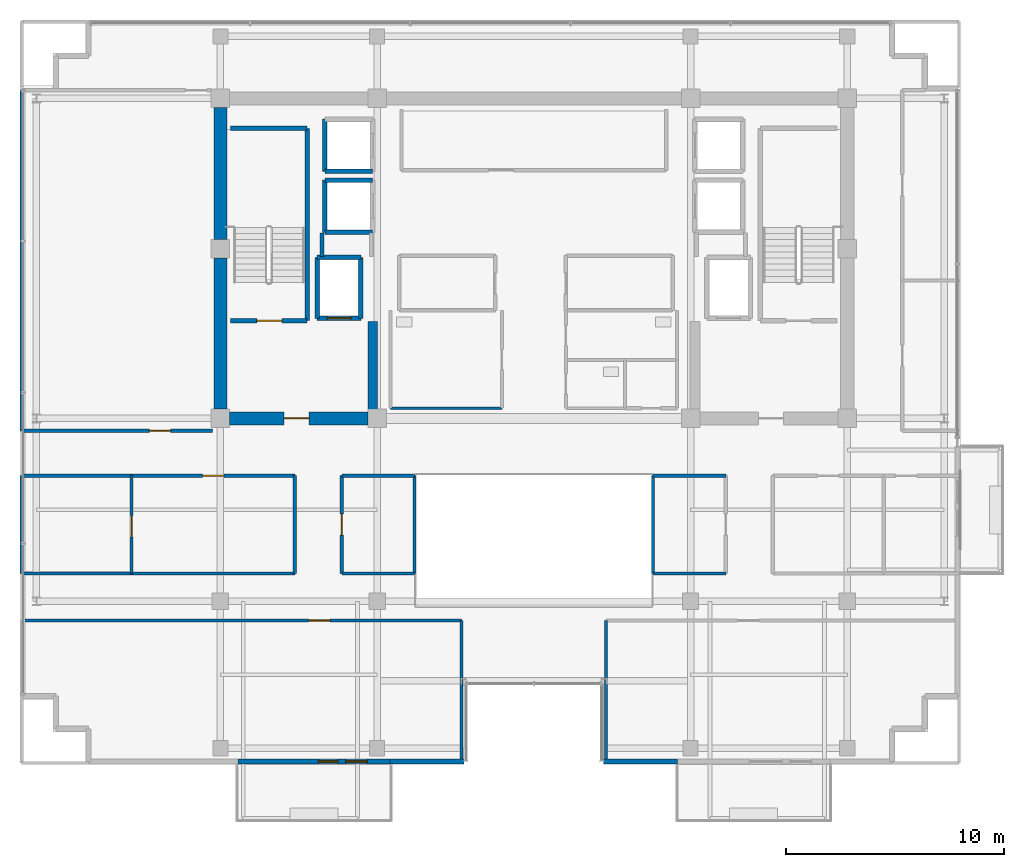
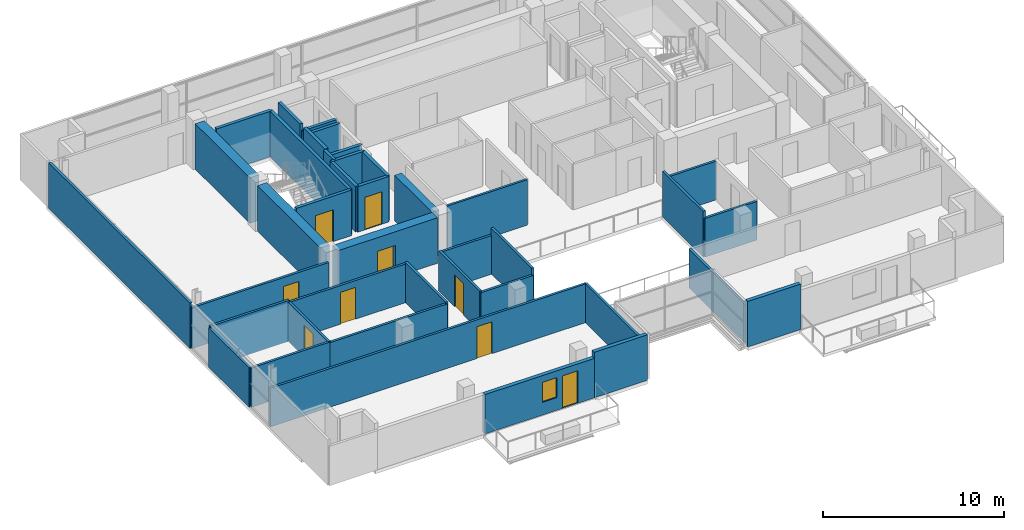
# One storey, part 16 of 23: 40 walls, 9 doors, 1 window, 10 openings.
"""IFC4 building model written with IfcOpenShell, lengths in metres."""

from ifc_helpers import new_model, si_unit, direction, frame, frame_2d, origin, place, context, subcontext, project, spatial, rectangle, extrude, source, transform, mapped, material, layer, layer_set, type_object, element, fill, save


model = new_model("IFC4")

# Units and contexts
model_context = context("Model", 3, precision=1e-05, world=origin(), true_north=direction((0.0, 1.0)))
body_context = subcontext(model_context, "Body", "Model", "MODEL_VIEW")
ifc_project = project(units=[si_unit("LENGTHUNIT", "METRE"), si_unit("AREAUNIT", "SQUARE_METRE"), si_unit("VOLUMEUNIT", "CUBIC_METRE"), si_unit("PLANEANGLEUNIT", "RADIAN"), si_unit("MASSUNIT", "GRAM", prefix="KILO")], contexts=[model_context])

# Site, building, storey
site_placement = place(None, origin())
site = spatial("IfcSite", under=ifc_project, at=site_placement, CompositionType="ELEMENT")
building_placement = place(site_placement, origin())
building = spatial("IfcBuilding", under=site, at=building_placement, Name="Zarnakvel Exchange Tower", CompositionType="ELEMENT")
storey_placement = place(building_placement, frame((0.0, 0.0, 218.800048828125)))
storey = spatial("IfcBuildingStorey", under=building, at=storey_placement, Name="L61", CompositionType="ELEMENT", Elevation=218.800048828125)

# Walls
ifc_material_1 = material(Name="Concrete C50/60", Category="concrete")
ifc_layer_1 = layer(ifc_material_1, 0.60009765625)
ifc_layer_set_1 = layer_set([ifc_layer_1], Name="Concrete C50/60")
wall_type_1 = type_object("IfcWallType", Name="CW-C5", PredefinedType="SHEAR", material=ifc_layer_set_1)
wall_1_placement = place(storey_placement, frame((-14.39990234375, -0.77490234375, 0.0), z_axis=(0.0, 0.0, 1.0), x_axis=(0.0, 1.0, 0.0)))
element("IfcWall", 1, at=wall_1_placement, inside=storey, type_object=wall_type_1, Name="L61 Rear Core Shear Wall W1 (CW-C5)", PredefinedType="SHEAR", context=body_context, shape_type="SweptSolid", body=[
    extrude(rectangle(XDim=6.949951171875, YDim=0.60009765625, at=frame_2d((3.47509765625, 0.0))), origin(), (0.0, 0.0, 1.0), 3.074951171875),
])
wall_2_placement = place(storey_placement, frame((-14.39990234375, 7.02490234375, 0.0), z_axis=(0.0, 0.0, 1.0), x_axis=(0.0, 1.0, 0.0)))
element("IfcWall", 2, at=wall_2_placement, inside=storey, type_object=wall_type_1, Name="L61 Rear Core Shear Wall W2 (CW-C5)", PredefinedType="SHEAR", context=body_context, shape_type="SweptSolid", body=[
    extrude(rectangle(XDim=6.050048828125, YDim=0.60009765625, at=frame_2d((3.02490234375, 0.0))), origin(), (0.0, 0.0, 1.0), 3.074951171875),
])

# Wall, opening, door
wall_3_placement = place(storey_placement, frame((-7.625, -1.199951171875, 0.0), z_axis=(0.0, 0.0, 1.0), x_axis=(-1.0, 0.0, 0.0)))
wall_3 = element("IfcWall", 3, at=wall_3_placement, inside=storey, type_object=wall_type_1, Name="L61 Rear Core Shear Wall SW (CW-C5)", PredefinedType="SHEAR", context=body_context, shape_type="SweptSolid", body=[
    extrude(rectangle(XDim=6.35009765625, YDim=0.60009765625, at=frame_2d((3.175048828125, 0.0))), origin(), (0.0, 0.0, 1.0), 3.074951171875),
])
opening_1_placement = place(wall_3_placement, frame((2.699951171875, 0.0, 0.0)))
opening_1 = element("IfcOpeningElement", 4, at=opening_1_placement, cuts=wall_3, Name="Opening D-L61-03", PredefinedType="OPENING", context=body_context, shape_type="SweptSolid", body=[
    extrude(rectangle(XDim=1.14990234375, YDim=2.14990234375, at=frame_2d((0.574951171875, 1.074951171875))), frame((0.0, 0.31005859375, 0.0), z_axis=(0.0, -1.0, 0.0), x_axis=(1.0, 0.0, 0.0)), (0.0, 0.0, 1.0), 0.6201171875),
])
ifc_material_2 = material(Name="Painted Galvanised Steel S355", Category="steel")
door_type_1 = type_object("IfcDoorType", Name="DT-04", OperationType="NOTDEFINED", PredefinedType="DOOR", material=ifc_material_2)
shared_shape_1 = source(origin(), body_context, "Body", "SweptSolid", [
    extrude(rectangle(XDim=1.14990234375, YDim=2.14990234375, at=frame_2d((0.574951171875, 1.074951171875))), frame((0.0, 0.02490234375, 0.0), z_axis=(0.0, -1.0, 0.0), x_axis=(1.0, 0.0, 0.0)), (0.0, 0.0, 1.0), 0.050048828125),
])
door_1_placement = place(opening_1_placement, origin())
door_1 = element("IfcDoor", 5, at=door_1_placement, inside=storey, type_object=door_type_1, Name="L61 Firefighting Lobby West Door D-L61-03", OperationType="SINGLE_SWING_RIGHT", OverallHeight=2.14990234375, OverallWidth=1.14990234375, PredefinedType="DOOR", context=body_context, shape_type="MappedRepresentation", body=[
    mapped(shared_shape_1, transform((0.0, 0.0, 0.0), x_axis=(1.0, 0.0, 0.0), y_axis=(0.0, 1.0, 0.0), z_axis=(0.0, 0.0, 1.0), scale=1.0)),
])
fill(opening_1, door_1)

# Wall
ifc_layer_2 = layer(ifc_material_1, 0.449951171875)
ifc_layer_set_2 = layer_set([ifc_layer_2], Name="Concrete C50/60")
wall_type_2 = type_object("IfcWallType", Name="CW-C6", PredefinedType="SHEAR", material=ifc_layer_set_2)
wall_4_placement = place(storey_placement, frame((-7.39990234375, -0.89990234375, 0.0), z_axis=(0.0, 0.0, 1.0), x_axis=(0.0, 1.0, 0.0)))
element("IfcWall", 6, at=wall_4_placement, inside=storey, type_object=wall_type_2, Name="L61 Rear Core Shear Wall IW (CW-C6)", PredefinedType="SHEAR", context=body_context, shape_type="SweptSolid", body=[
    extrude(rectangle(XDim=4.14990234375, YDim=0.449951171875, at=frame_2d((2.074951171875, 0.0))), origin(), (0.0, 0.0, 1.0), 3.074951171875),
])

# Wall, openings, door, window
ifc_material_3 = material(Name="Precast concrete C40/50", Category="concrete")
ifc_layer_3 = layer(ifc_material_3, 0.239990234375)
ifc_layer_set_3 = layer_set([ifc_layer_3], Name="Precast concrete C40/50")
wall_type_3 = type_object("IfcWallType", Name="EW-02", PredefinedType="SOLIDWALL", material=ifc_layer_set_3)
wall_5_placement = place(storey_placement, frame((-6.60009765625, -16.9599609375, 0.0), z_axis=(0.0, 0.0, 1.0), x_axis=(-1.0, 0.0, 0.0)))
wall_5 = element("IfcWall", 7, at=wall_5_placement, inside=storey, type_object=wall_type_3, Name="L61 Exterior Precast Spandrel Wall EW-BAL-L61-SW (EW-02)", PredefinedType="SOLIDWALL", context=body_context, shape_type="SweptSolid", body=[
    extrude(rectangle(XDim=7.0, YDim=0.239990234375, at=frame_2d((3.5, 0.0))), origin(), (0.0, 0.0, 1.0), 2.6650390625),
])
opening_2_placement = place(wall_5_placement, frame((1.050048828125, 0.0, 0.0)))
opening_2 = element("IfcOpeningElement", 8, at=opening_2_placement, cuts=wall_5, Name="Opening BD-L61-01", PredefinedType="OPENING", context=body_context, shape_type="SweptSolid", body=[
    extrude(rectangle(XDim=1.0, YDim=2.199951171875, at=frame_2d((0.5, 1.10009765625))), frame((0.0, 0.1298828125, 0.0), z_axis=(0.0, -1.0, 0.0), x_axis=(1.0, 0.0, 0.0)), (0.0, 0.0, 1.0), 0.260009765625),
])
opening_3_placement = place(wall_5_placement, frame((2.39990234375, 0.0, 0.85009765625)))
opening_3 = element("IfcOpeningElement", 9, at=opening_3_placement, cuts=wall_5, Name="Opening WN-06", PredefinedType="OPENING", context=body_context, shape_type="SweptSolid", body=[
    extrude(rectangle(XDim=0.89990234375, YDim=1.35009765625, at=frame_2d((0.449951171875, 0.675048828125))), frame((0.0, 0.1298828125, 0.0), z_axis=(0.0, -1.0, 0.0), x_axis=(1.0, 0.0, 0.0)), (0.0, 0.0, 1.0), 0.260009765625),
])
ifc_material_4 = material(Name="Architectural Bronze Anodised Aluminium", Category="aluminium")
door_type_2 = type_object("IfcDoorType", Name="DT-09", OperationType="NOTDEFINED", PredefinedType="DOOR", material=ifc_material_4)
shared_shape_2 = source(origin(), body_context, "Body", "SweptSolid", [
    extrude(rectangle(XDim=1.0, YDim=2.199951171875, at=frame_2d((0.5, 1.10009765625))), frame((0.0, 0.02490234375, 0.0), z_axis=(0.0, -1.0, 0.0), x_axis=(1.0, 0.0, 0.0)), (0.0, 0.0, 1.0), 0.050048828125),
])
door_2_placement = place(opening_2_placement, origin())
door_2 = element("IfcDoor", 10, at=door_2_placement, inside=storey, type_object=door_type_2, Name="L61 Planted Loggia Balcony Door BD-L61-01", OperationType="SINGLE_SWING_LEFT", OverallHeight=2.199951171875, OverallWidth=1.0, PredefinedType="DOOR", context=body_context, shape_type="MappedRepresentation", body=[
    mapped(shared_shape_2, transform((0.0, 0.0, 0.0), x_axis=(1.0, 0.0, 0.0), y_axis=(0.0, 1.0, 0.0), z_axis=(0.0, 0.0, 1.0), scale=1.0)),
])
fill(opening_2, door_2)
ifc_material_5 = material(Name="Double Low-E Laminated Vision Glass", Category="glass")
window_type = type_object("IfcWindowType", Name="WN-06", PartitioningType="SINGLE_PANEL", PredefinedType="WINDOW", material=ifc_material_5)
shared_shape_3 = source(origin(), body_context, "Body", "SweptSolid", [
    extrude(rectangle(XDim=0.89990234375, YDim=1.35009765625, at=frame_2d((0.449951171875, 0.675048828125))), frame((0.0, 0.030029296875, 0.0), z_axis=(0.0, -1.0, 0.0), x_axis=(1.0, 0.0, 0.0)), (0.0, 0.0, 1.0), 0.06005859375),
])
window_placement = place(opening_3_placement, origin())
window = element("IfcWindow", 11, at=window_placement, inside=storey, type_object=window_type, Name="L61 Loggia Daylight Window (WN-06)", OverallHeight=1.35009765625, OverallWidth=0.89990234375, PartitioningType="SINGLE_PANEL", PredefinedType="WINDOW", context=body_context, shape_type="MappedRepresentation", body=[
    mapped(shared_shape_3, transform((0.0, 0.0, 0.0), x_axis=(1.0, 0.0, 0.0), y_axis=(0.0, 1.0, 0.0), z_axis=(0.0, 0.0, 1.0), scale=1.0)),
])
fill(opening_3, window)

# Walls
for number, where, z_axis, x_axis, name in (
    (12, (3.199951171875, -16.9599609375, 0.0), (0.0, 0.0, 1.0), (1.0, 0.0, 0.0), "L61 Exterior Precast Spandrel Wall EWC-L61-16 (EW-02)"),
    (13, (-6.60009765625, -16.9599609375, 0.0), (0.0, 0.0, 1.0), (1.0, 0.0, 0.0), "L61 Exterior Precast Spandrel Wall EWC-L61-21 (EW-02)"),
):
    element("IfcWall", number, at=place(storey_placement, frame(where, z_axis=z_axis, x_axis=x_axis)), inside=storey, type_object=wall_type_3, Name=name, PredefinedType="SOLIDWALL", context=body_context, shape_type="SweptSolid", body=[
        extrude(rectangle(XDim=3.400146484375, YDim=0.239990234375, at=frame_2d((1.7001953125, 0.0))), origin(), (0.0, 0.0, 1.0), 3.074951171875),
    ])
ifc_material_6 = material(Name="Fire-Rated Gypsum Stud Partition", Category="gypsum")
ifc_layer_4 = layer(ifc_material_6, 0.14990234375)
ifc_layer_set_4 = layer_set([ifc_layer_4], Name="Fire-Rated Gypsum Stud Partition")
wall_type_4 = type_object("IfcWallType", Name="PT-01", PredefinedType="PARTITIONING", material=ifc_layer_set_4)
wall_6_placement = place(storey_placement, frame((-18.47802734375, -8.320068359375, 0.0), z_axis=(0.0, 0.0, 1.0), x_axis=(-1.0, 0.0, 0.0)))
element("IfcWall", 14, at=wall_6_placement, inside=storey, type_object=wall_type_4, Name="L61 Partition Wall PWALL-L61-033 (PT-01)", PredefinedType="PARTITIONING", context=body_context, shape_type="SweptSolid", body=[
    extrude(rectangle(XDim=5.052001953125, YDim=0.14990234375, at=frame_2d((2.52587890625, 0.0))), origin(), (0.0, 0.0, 1.0), 2.6650390625),
])
wall_7_placement = place(storey_placement, frame((-23.530029296875, -3.830078125, 0.0), z_axis=(0.0, 0.0, 1.0), x_axis=(1.0, 0.0, 0.0)))
element("IfcWall", 15, at=wall_7_placement, inside=storey, type_object=wall_type_4, Name="L61 Partition Wall PWALL-L61-034 (PT-01)", PredefinedType="PARTITIONING", context=body_context, shape_type="SweptSolid", body=[
    extrude(rectangle(XDim=5.052001953125, YDim=0.14990234375, at=frame_2d((2.52587890625, 0.0))), origin(), (0.0, 0.0, 1.0), 2.764892578125),
])
wall_8_placement = place(storey_placement, frame((-23.530029296875, -8.320068359375, 0.0), z_axis=(0.0, 0.0, 1.0), x_axis=(0.0, 1.0, 0.0)))
element("IfcWall", 16, at=wall_8_placement, inside=storey, type_object=wall_type_4, Name="L61 Partition Wall PWALL-L61-035 (PT-01)", PredefinedType="PARTITIONING", context=body_context, shape_type="SweptSolid", body=[
    extrude(rectangle(XDim=4.489990234375, YDim=0.14990234375, at=frame_2d((2.2451171875, 0.0))), origin(), (0.0, 0.0, 1.0), 2.6650390625),
])

# Wall, opening, door
wall_9_placement = place(storey_placement, frame((-18.47802734375, -3.830078125, 0.0), z_axis=(0.0, 0.0, 1.0), x_axis=(0.0, -1.0, 0.0)))
wall_9 = element("IfcWall", 17, at=wall_9_placement, inside=storey, type_object=wall_type_4, Name="L61 Partition Wall PWALL-L61-036 (PT-01)", PredefinedType="PARTITIONING", context=body_context, shape_type="SweptSolid", body=[
    extrude(rectangle(XDim=4.489990234375, YDim=0.14990234375, at=frame_2d((2.2451171875, 0.0))), origin(), (0.0, 0.0, 1.0), 2.6650390625),
])
opening_4_placement = place(wall_9_placement, frame((1.8349609375, 0.0, 0.0)))
opening_4 = element("IfcOpeningElement", 18, at=opening_4_placement, cuts=wall_9, Name="Opening D-L61-12", PredefinedType="OPENING", context=body_context, shape_type="SweptSolid", body=[
    extrude(rectangle(XDim=0.97998046875, YDim=2.14990234375, at=frame_2d((0.489990234375, 1.074951171875))), frame((0.0, 0.0849609375, 0.0), z_axis=(0.0, -1.0, 0.0), x_axis=(1.0, 0.0, 0.0)), (0.0, 0.0, 1.0), 0.169921875),
])
ifc_material_7 = material(Name="Timber Acoustic Veneer", Category="wood")
door_type_3 = type_object("IfcDoorType", Name="DT-05", OperationType="NOTDEFINED", PredefinedType="DOOR", material=ifc_material_7)
shared_shape_4 = source(origin(), body_context, "Body", "SweptSolid", [
    extrude(rectangle(XDim=0.97998046875, YDim=2.14990234375, at=frame_2d((0.489990234375, 1.074951171875))), frame((0.0, 0.02490234375, 0.0), z_axis=(0.0, -1.0, 0.0), x_axis=(1.0, 0.0, 0.0)), (0.0, 0.0, 1.0), 0.050048828125),
])
door_3_placement = place(opening_4_placement, origin())
door_3 = element("IfcDoor", 19, at=door_3_placement, inside=storey, type_object=door_type_3, Name="L61 Institutional Dealing Room Door D-L61-12", OperationType="SINGLE_SWING_LEFT", OverallHeight=2.14990234375, OverallWidth=0.97998046875, PredefinedType="DOOR", context=body_context, shape_type="MappedRepresentation", body=[
    mapped(shared_shape_4, transform((0.0, 0.0, 0.0), x_axis=(1.0, 0.0, 0.0), y_axis=(0.0, 1.0, 0.0), z_axis=(0.0, 0.0, 1.0), scale=1.0)),
])
fill(opening_4, door_3)

# Wall
wall_10_placement = place(storey_placement, frame((-10.97998046875, -8.320068359375, 0.0), z_axis=(0.0, 0.0, 1.0), x_axis=(-1.0, 0.0, 0.0)))
element("IfcWall", 20, at=wall_10_placement, inside=storey, type_object=wall_type_4, Name="L61 Partition Wall PWALL-L61-037 (PT-01)", PredefinedType="PARTITIONING", context=body_context, shape_type="SweptSolid", body=[
    extrude(rectangle(XDim=7.498046875, YDim=0.14990234375, at=frame_2d((3.7490234375, 0.0))), origin(), (0.0, 0.0, 1.0), 2.614990234375),
])

# Wall, opening, door
wall_11_placement = place(storey_placement, frame((-18.47802734375, -3.830078125, 0.0), z_axis=(0.0, 0.0, 1.0), x_axis=(1.0, 0.0, 0.0)))
wall_11 = element("IfcWall", 21, at=wall_11_placement, inside=storey, type_object=wall_type_4, Name="L61 Partition Wall PWALL-L61-038 (PT-01)", PredefinedType="PARTITIONING", context=body_context, shape_type="SweptSolid", body=[
    extrude(rectangle(XDim=7.498046875, YDim=0.14990234375, at=frame_2d((3.7490234375, 0.0))), origin(), (0.0, 0.0, 1.0), 2.614990234375),
])
opening_5_placement = place(wall_11_placement, frame((3.259033203125, 0.0, 0.0)))
opening_5 = element("IfcOpeningElement", 22, at=opening_5_placement, cuts=wall_11, Name="Opening D-L61-13", PredefinedType="OPENING", context=body_context, shape_type="SweptSolid", body=[
    extrude(rectangle(XDim=0.97998046875, YDim=2.14990234375, at=frame_2d((0.489990234375, 1.074951171875))), frame((0.0, 0.0849609375, 0.0), z_axis=(0.0, -1.0, 0.0), x_axis=(1.0, 0.0, 0.0)), (0.0, 0.0, 1.0), 0.169921875),
])
door_4_placement = place(opening_5_placement, origin())
door_4 = element("IfcDoor", 23, at=door_4_placement, inside=storey, type_object=door_type_3, Name="L61 Clearing Office Door D-L61-13", OperationType="SINGLE_SWING_RIGHT", OverallHeight=2.14990234375, OverallWidth=0.97998046875, PredefinedType="DOOR", context=body_context, shape_type="MappedRepresentation", body=[
    mapped(shared_shape_4, transform((0.0, 0.0, 0.0), x_axis=(1.0, 0.0, 0.0), y_axis=(0.0, 1.0, 0.0), z_axis=(0.0, 0.0, 1.0), scale=1.0)),
])
fill(opening_5, door_4)

# Wall
wall_12_placement = place(storey_placement, frame((-10.97998046875, -3.830078125, 0.0), z_axis=(0.0, 0.0, 1.0), x_axis=(0.0, -1.0, 0.0)))
element("IfcWall", 24, at=wall_12_placement, inside=storey, type_object=wall_type_4, Name="L61 Partition Wall PWALL-L61-039 (PT-01)", PredefinedType="PARTITIONING", context=body_context, shape_type="SweptSolid", body=[
    extrude(rectangle(XDim=4.489990234375, YDim=0.14990234375, at=frame_2d((2.2451171875, 0.0))), origin(), (0.0, 0.0, 1.0), 2.704833984375),
])

# Wall, opening, door
wall_13_placement = place(storey_placement, frame((-23.530029296875, -10.47998046875, 0.0), z_axis=(0.0, 0.0, 1.0), x_axis=(1.0, 0.0, 0.0)))
wall_13 = element("IfcWall", 25, at=wall_13_placement, inside=storey, type_object=wall_type_4, Name="L61 Partition Wall PWALL-L61-041 (PT-01)", PredefinedType="PARTITIONING", context=body_context, shape_type="SweptSolid", body=[
    extrude(rectangle(XDim=20.2099609375, YDim=0.14990234375, at=frame_2d((10.10498046875, 0.0))), origin(), (0.0, 0.0, 1.0), 2.614990234375),
])
opening_6_placement = place(wall_13_placement, frame((13.18994140625, 0.0, 0.0)))
opening_6 = element("IfcOpeningElement", 26, at=opening_6_placement, cuts=wall_13, Name="Opening D-L61-14", PredefinedType="OPENING", context=body_context, shape_type="SweptSolid", body=[
    extrude(rectangle(XDim=0.97998046875, YDim=2.14990234375, at=frame_2d((0.489990234375, 1.074951171875))), frame((0.0, 0.0849609375, 0.0), z_axis=(0.0, -1.0, 0.0), x_axis=(1.0, 0.0, 0.0)), (0.0, 0.0, 1.0), 0.169921875),
])
door_5_placement = place(opening_6_placement, origin())
door_5 = element("IfcDoor", 27, at=door_5_placement, inside=storey, type_object=door_type_3, Name="L61 Institutional Dealing Room Door D-L61-14", OperationType="SINGLE_SWING_LEFT", OverallHeight=2.14990234375, OverallWidth=0.97998046875, PredefinedType="DOOR", context=body_context, shape_type="MappedRepresentation", body=[
    mapped(shared_shape_4, transform((0.0, 0.0, 0.0), x_axis=(1.0, 0.0, 0.0), y_axis=(0.0, 1.0, 0.0), z_axis=(0.0, 0.0, 1.0), scale=1.0)),
])
fill(opening_6, door_5)

# Walls
for number, where, z_axis, x_axis, name in (
    (28, (-3.320068359375, -10.47998046875, 0.0), (0.0, 0.0, 1.0), (0.0, -1.0, 0.0), "L61 Partition Wall PWALL-L61-043 (PT-01)"),
    (29, (3.320068359375, -17.030029296875, 0.0), (0.0, 0.0, 1.0), (0.0, 1.0, 0.0), "L61 Partition Wall PWALL-L61-053 (PT-01)"),
):
    element("IfcWall", number, at=place(storey_placement, frame(where, z_axis=z_axis, x_axis=x_axis)), inside=storey, type_object=wall_type_4, Name=name, PredefinedType="PARTITIONING", context=body_context, shape_type="SweptSolid", body=[
        extrude(rectangle(XDim=6.550048828125, YDim=0.14990234375, at=frame_2d((3.27490234375, 0.0))), origin(), (0.0, 0.0, 1.0), 2.614990234375),
    ])
for number, where, z_axis, x_axis, name in (
    (30, (-5.47998046875, -8.320068359375, 0.0), (0.0, 0.0, 1.0), (-1.0, 0.0, 0.0), "L61 Partition Wall PWALL-L61-055 (PT-01)"),
    (31, (-8.820068359375, -3.830078125, 0.0), (0.0, 0.0, 1.0), (1.0, 0.0, 0.0), "L61 Partition Wall PWALL-L61-056 (PT-01)"),
):
    element("IfcWall", number, at=place(storey_placement, frame(where, z_axis=z_axis, x_axis=x_axis)), inside=storey, type_object=wall_type_4, Name=name, PredefinedType="PARTITIONING", context=body_context, shape_type="SweptSolid", body=[
        extrude(rectangle(XDim=3.340087890625, YDim=0.14990234375, at=frame_2d((1.669921875, 0.0))), origin(), (0.0, 0.0, 1.0), 2.614990234375),
    ])

# Wall, opening, door
wall_14_placement = place(storey_placement, frame((-8.820068359375, -8.320068359375, 0.0), z_axis=(0.0, 0.0, 1.0), x_axis=(0.0, 1.0, 0.0)))
wall_14 = element("IfcWall", 32, at=wall_14_placement, inside=storey, type_object=wall_type_4, Name="L61 Partition Wall PWALL-L61-057 (PT-01)", PredefinedType="PARTITIONING", context=body_context, shape_type="SweptSolid", body=[
    extrude(rectangle(XDim=4.489990234375, YDim=0.14990234375, at=frame_2d((2.2451171875, 0.0))), origin(), (0.0, 0.0, 1.0), 2.704833984375),
])
opening_7_placement = place(wall_14_placement, frame((1.7548828125, 0.0, 0.0)))
opening_7 = element("IfcOpeningElement", 33, at=opening_7_placement, cuts=wall_14, Name="Opening D-L61-18", PredefinedType="OPENING", context=body_context, shape_type="SweptSolid", body=[
    extrude(rectangle(XDim=0.97998046875, YDim=2.14990234375, at=frame_2d((0.489990234375, 1.074951171875))), frame((0.0, 0.0849609375, 0.0), z_axis=(0.0, -1.0, 0.0), x_axis=(1.0, 0.0, 0.0)), (0.0, 0.0, 1.0), 0.169921875),
])
door_6_placement = place(opening_7_placement, origin())
door_6 = element("IfcDoor", 34, at=door_6_placement, inside=storey, type_object=door_type_3, Name="L61 Breakout Pantry Door D-L61-18", OperationType="SINGLE_SWING_LEFT", OverallHeight=2.14990234375, OverallWidth=0.97998046875, PredefinedType="DOOR", context=body_context, shape_type="MappedRepresentation", body=[
    mapped(shared_shape_4, transform((0.0, 0.0, 0.0), x_axis=(1.0, 0.0, 0.0), y_axis=(0.0, 1.0, 0.0), z_axis=(0.0, 0.0, 1.0), scale=1.0)),
])
fill(opening_7, door_6)

# Walls
wall_15_placement = place(storey_placement, frame((-5.47998046875, -3.830078125, 0.0), z_axis=(0.0, 0.0, 1.0), x_axis=(0.0, -1.0, 0.0)))
element("IfcWall", 35, at=wall_15_placement, inside=storey, type_object=wall_type_4, Name="L61 Partition Wall PWALL-L61-058 (PT-01)", PredefinedType="PARTITIONING", context=body_context, shape_type="SweptSolid", body=[
    extrude(rectangle(XDim=4.489990234375, YDim=0.14990234375, at=frame_2d((2.2451171875, 0.0))), origin(), (0.0, 0.0, 1.0), 3.074951171875),
])
for number, where, z_axis, x_axis, name in (
    (36, (8.820068359375, -8.320068359375, 0.0), (0.0, 0.0, 1.0), (-1.0, 0.0, 0.0), "L61 Partition Wall PWALL-L61-059 (PT-01)"),
    (37, (5.47998046875, -3.830078125, 0.0), (0.0, 0.0, 1.0), (1.0, 0.0, 0.0), "L61 Partition Wall PWALL-L61-060 (PT-01)"),
):
    element("IfcWall", number, at=place(storey_placement, frame(where, z_axis=z_axis, x_axis=x_axis)), inside=storey, type_object=wall_type_4, Name=name, PredefinedType="PARTITIONING", context=body_context, shape_type="SweptSolid", body=[
        extrude(rectangle(XDim=3.340087890625, YDim=0.14990234375, at=frame_2d((1.669921875, 0.0))), origin(), (0.0, 0.0, 1.0), 2.614990234375),
    ])
wall_16_placement = place(storey_placement, frame((5.47998046875, -8.320068359375, 0.0), z_axis=(0.0, 0.0, 1.0), x_axis=(0.0, 1.0, 0.0)))
element("IfcWall", 38, at=wall_16_placement, inside=storey, type_object=wall_type_4, Name="L61 Partition Wall PWALL-L61-061 (PT-01)", PredefinedType="PARTITIONING", context=body_context, shape_type="SweptSolid", body=[
    extrude(rectangle(XDim=4.489990234375, YDim=0.14990234375, at=frame_2d((2.2451171875, 0.0))), origin(), (0.0, 0.0, 1.0), 3.074951171875),
])

# Wall, opening, door
wall_17_placement = place(storey_placement, frame((-14.77001953125, -1.77001953125, 0.0), z_axis=(0.0, 0.0, 1.0), x_axis=(-1.0, 0.0, 0.0)))
wall_17 = element("IfcWall", 39, at=wall_17_placement, inside=storey, type_object=wall_type_4, Name="L61 Partition Wall PWALL-L61-063 (PT-01)", PredefinedType="PARTITIONING", context=body_context, shape_type="SweptSolid", body=[
    extrude(rectangle(XDim=8.760009765625, YDim=0.14990234375, at=frame_2d((4.3798828125, 0.0))), origin(), (0.0, 0.0, 1.0), 2.764892578125),
])
opening_8_placement = place(wall_17_placement, frame((1.9150390625, 0.0, 0.0)))
opening_8 = element("IfcOpeningElement", 40, at=opening_8_placement, cuts=wall_17, Name="Opening D-L61-20", PredefinedType="OPENING", context=body_context, shape_type="SweptSolid", body=[
    extrude(rectangle(XDim=0.97998046875, YDim=2.14990234375, at=frame_2d((0.489990234375, 1.074951171875))), frame((0.0, 0.0849609375, 0.0), z_axis=(0.0, -1.0, 0.0), x_axis=(1.0, 0.0, 0.0)), (0.0, 0.0, 1.0), 0.169921875),
])
door_7_placement = place(opening_8_placement, origin())
door_7 = element("IfcDoor", 41, at=door_7_placement, inside=storey, type_object=door_type_3, Name="L61 Meeting Room Door D-L61-20", OperationType="SINGLE_SWING_LEFT", OverallHeight=2.14990234375, OverallWidth=0.97998046875, PredefinedType="DOOR", context=body_context, shape_type="MappedRepresentation", body=[
    mapped(shared_shape_4, transform((0.0, 0.0, 0.0), x_axis=(1.0, 0.0, 0.0), y_axis=(0.0, 1.0, 0.0), z_axis=(0.0, 0.0, 1.0), scale=1.0)),
])
fill(opening_8, door_7)

# Walls
wall_18_placement = place(storey_placement, frame((-23.530029296875, -1.77001953125, 0.0), z_axis=(0.0, 0.0, 1.0), x_axis=(0.0, 1.0, 0.0)))
element("IfcWall", 42, at=wall_18_placement, inside=storey, type_object=wall_type_4, Name="L61 Partition Wall PWALL-L61-065 (PT-01)", PredefinedType="PARTITIONING", context=body_context, shape_type="SweptSolid", body=[
    extrude(rectangle(XDim=15.64990234375, YDim=0.14990234375, at=frame_2d((7.824951171875, 0.0))), origin(), (0.0, 0.0, 1.0), 3.074951171875),
])
ifc_layer_5 = layer(ifc_material_6, 0.179931640625)
ifc_layer_set_5 = layer_set([ifc_layer_5], Name="Fire-Rated Gypsum Stud Partition")
wall_type_5 = type_object("IfcWallType", Name="PT-02", PredefinedType="PARTITIONING", material=ifc_layer_set_5)
wall_19_placement = place(storey_placement, frame((-9.72998046875, 6.239990234375, 0.0), z_axis=(0.0, 0.0, 1.0), x_axis=(0.0, 1.0, 0.0)))
element("IfcWall", 43, at=wall_19_placement, inside=storey, type_object=wall_type_5, Name="L61 Partition Wall PWALL-L61-007 (PT-02)", PredefinedType="PARTITIONING", context=body_context, shape_type="SweptSolid", body=[
    extrude(rectangle(XDim=1.090087890625, YDim=0.179931640625, at=frame_2d((0.544921875, 0.0))), origin(), (0.0, 0.0, 1.0), 3.074951171875),
])
ifc_material_8 = material(Name="Moisture-Resistant Tile-Faced Partition", Category="gypsum")
ifc_layer_6 = layer(ifc_material_8, 0.135009765625)
ifc_layer_set_6 = layer_set([ifc_layer_6], Name="Moisture-Resistant Tile-Faced Partition")
wall_type_6 = type_object("IfcWallType", Name="PT-03", PredefinedType="PARTITIONING", material=ifc_layer_set_6)
wall_20_placement = place(storey_placement, frame((-1.469970703125, -0.72998046875, 0.0), z_axis=(0.0, 0.0, 1.0), x_axis=(-1.0, 0.0, 0.0)))
element("IfcWall", 44, at=wall_20_placement, inside=storey, type_object=wall_type_6, Name="L61 Partition Wall PWALL-L61-022 (PT-03)", PredefinedType="PARTITIONING", context=body_context, shape_type="SweptSolid", body=[
    extrude(rectangle(XDim=5.110107421875, YDim=0.135009765625, at=frame_2d((2.55517578125, 0.0))), origin(), (0.0, 0.0, 1.0), 3.074951171875),
])

# Wall, opening, door
ifc_material_9 = material(Name="Concrete C40/50", Category="concrete")
ifc_layer_7 = layer(ifc_material_9, 0.199951171875)
ifc_layer_set_7 = layer_set([ifc_layer_7], Name="Concrete C40/50")
wall_type_7 = type_object("IfcWallType", Name="SW-01", PredefinedType="SOLIDWALL", material=ifc_layer_set_7)
wall_21_placement = place(storey_placement, frame((-7.949951171875, 3.39990234375, 0.0), z_axis=(0.0, 0.0, 1.0), x_axis=(-1.0, 0.0, 0.0)))
wall_21 = element("IfcWall", 45, at=wall_21_placement, inside=storey, type_object=wall_type_7, Name="L61 FL-01 Hoistway Wall South", PredefinedType="SOLIDWALL", context=body_context, shape_type="SweptSolid", body=[
    extrude(rectangle(XDim=2.0, YDim=0.199951171875, at=frame_2d((1.0, 0.0))), origin(), (0.0, 0.0, 1.0), 3.074951171875),
])
opening_9_placement = place(wall_21_placement, frame((0.449951171875, 0.0, 0.0)))
opening_9 = element("IfcOpeningElement", 46, at=opening_9_placement, cuts=wall_21, Name="Opening LD-FL-01-L61", PredefinedType="OPENING", context=body_context, shape_type="SweptSolid", body=[
    extrude(rectangle(XDim=1.10009765625, YDim=2.199951171875, at=frame_2d((0.550048828125, 1.10009765625))), frame((0.0, 0.10986328125, 0.0), z_axis=(0.0, -1.0, 0.0), x_axis=(1.0, 0.0, 0.0)), (0.0, 0.0, 1.0), 0.219970703125),
])
ifc_material_10 = material(Name="Brushed Stainless Steel", Category="steel")
door_type_4 = type_object("IfcDoorType", Name="LDT-01", OperationType="NOTDEFINED", PredefinedType="DOOR", material=ifc_material_10)
shared_shape_5 = source(origin(), body_context, "Body", "SweptSolid", [
    extrude(rectangle(XDim=1.10009765625, YDim=2.199951171875, at=frame_2d((0.550048828125, 1.10009765625))), frame((0.0, 0.02490234375, 0.0), z_axis=(0.0, -1.0, 0.0), x_axis=(1.0, 0.0, 0.0)), (0.0, 0.0, 1.0), 0.050048828125),
])
door_8_placement = place(opening_9_placement, origin())
door_8 = element("IfcDoor", 47, at=door_8_placement, inside=storey, type_object=door_type_4, Name="L61 FL-01 Lift Landing Door LD-FL-01-L61", OperationType="DOUBLE_DOOR_SLIDING", OverallHeight=2.199951171875, OverallWidth=1.10009765625, PredefinedType="DOOR", context=body_context, shape_type="MappedRepresentation", body=[
    mapped(shared_shape_5, transform((0.0, 0.0, 0.0), x_axis=(1.0, 0.0, 0.0), y_axis=(0.0, 1.0, 0.0), z_axis=(0.0, 0.0, 1.0), scale=1.0)),
])
fill(opening_9, door_8)

# Walls
wall_22_placement = place(storey_placement, frame((-9.949951171875, 6.199951171875, 0.0), z_axis=(0.0, 0.0, 1.0), x_axis=(1.0, 0.0, 0.0)))
element("IfcWall", 48, at=wall_22_placement, inside=storey, type_object=wall_type_7, Name="L61 FL-01 Hoistway Wall North", PredefinedType="SOLIDWALL", context=body_context, shape_type="SweptSolid", body=[
    extrude(rectangle(XDim=2.0, YDim=0.199951171875, at=frame_2d((1.0, 0.0))), origin(), (0.0, 0.0, 1.0), 3.074951171875),
])
for number, where, z_axis, x_axis, name in (
    (49, (-9.949951171875, 3.39990234375, 0.0), (0.0, 0.0, 1.0), (0.0, 1.0, 0.0), "L61 FL-01 Hoistway Wall West"),
    (50, (-7.949951171875, 6.199951171875, 0.0), (0.0, 0.0, 1.0), (0.0, -1.0, 0.0), "L61 FL-01 Hoistway Wall East"),
):
    element("IfcWall", number, at=place(storey_placement, frame(where, z_axis=z_axis, x_axis=x_axis)), inside=storey, type_object=wall_type_7, Name=name, PredefinedType="SOLIDWALL", context=body_context, shape_type="SweptSolid", body=[
        extrude(rectangle(XDim=2.800048828125, YDim=0.199951171875, at=frame_2d((1.39990234375, 0.0))), origin(), (0.0, 0.0, 1.0), 3.074951171875),
    ])
for number, where, z_axis, x_axis, name in (
    (51, (-7.39990234375, 7.35009765625, 0.0), (0.0, 0.0, 1.0), (-1.0, 0.0, 0.0), "L61 PL-09 Hoistway Wall South"),
    (52, (-9.60009765625, 9.75, 0.0), (0.0, 0.0, 1.0), (1.0, 0.0, 0.0), "L61 PL-09 Hoistway Wall North"),
):
    element("IfcWall", number, at=place(storey_placement, frame(where, z_axis=z_axis, x_axis=x_axis)), inside=storey, type_object=wall_type_7, Name=name, PredefinedType="SOLIDWALL", context=body_context, shape_type="SweptSolid", body=[
        extrude(rectangle(XDim=2.2001953125, YDim=0.199951171875, at=frame_2d((1.10009765625, 0.0))), origin(), (0.0, 0.0, 1.0), 2.614990234375),
    ])
wall_23_placement = place(storey_placement, frame((-9.60009765625, 7.35009765625, 0.0), z_axis=(0.0, 0.0, 1.0), x_axis=(0.0, 1.0, 0.0)))
element("IfcWall", 53, at=wall_23_placement, inside=storey, type_object=wall_type_7, Name="L61 PL-09 Hoistway Wall West", PredefinedType="SOLIDWALL", context=body_context, shape_type="SweptSolid", body=[
    extrude(rectangle(XDim=2.39990234375, YDim=0.199951171875, at=frame_2d((1.199951171875, 0.0))), origin(), (0.0, 0.0, 1.0), 3.074951171875),
])
wall_24_placement = place(storey_placement, frame((-7.39990234375, 10.14990234375, 0.0), z_axis=(0.0, 0.0, 1.0), x_axis=(-1.0, 0.0, 0.0)))
element("IfcWall", 54, at=wall_24_placement, inside=storey, type_object=wall_type_7, Name="L61 PL-10 Hoistway Wall South", PredefinedType="SOLIDWALL", context=body_context, shape_type="SweptSolid", body=[
    extrude(rectangle(XDim=2.2001953125, YDim=0.199951171875, at=frame_2d((1.10009765625, 0.0))), origin(), (0.0, 0.0, 1.0), 2.614990234375),
])
wall_25_placement = place(storey_placement, frame((-9.60009765625, 10.14990234375, 0.0), z_axis=(0.0, 0.0, 1.0), x_axis=(0.0, 1.0, 0.0)))
element("IfcWall", 55, at=wall_25_placement, inside=storey, type_object=wall_type_7, Name="L61 PL-10 Hoistway Wall West", PredefinedType="SOLIDWALL", context=body_context, shape_type="SweptSolid", body=[
    extrude(rectangle(XDim=2.400146484375, YDim=0.199951171875, at=frame_2d((1.2001953125, 0.0))), origin(), (0.0, 0.0, 1.0), 3.074951171875),
])

# Wall, opening, door
ifc_layer_8 = layer(ifc_material_9, 0.199951171875)
ifc_layer_set_8 = layer_set([ifc_layer_8], Name="Concrete C40/50")
wall_type_8 = type_object("IfcWallType", Name="SW-02", PredefinedType="SOLIDWALL", material=ifc_layer_set_8)
wall_26_placement = place(storey_placement, frame((-10.409912109375, 3.2900390625, 0.0), z_axis=(0.0, 0.0, 1.0), x_axis=(-1.0, 0.0, 0.0)))
wall_26 = element("IfcWall", 56, at=wall_26_placement, inside=storey, type_object=wall_type_8, Name="L61 Stairwell Core Wall PWALL-L61-001 (SW-02)", PredefinedType="SOLIDWALL", context=body_context, shape_type="SweptSolid", body=[
    extrude(rectangle(XDim=3.52001953125, YDim=0.199951171875, at=frame_2d((1.760009765625, 0.0))), origin(), (0.0, 0.0, 1.0), 3.074951171875),
])
opening_10_placement = place(wall_26_placement, frame((1.1650390625, 0.0, 0.0)))
opening_10 = element("IfcOpeningElement", 57, at=opening_10_placement, cuts=wall_26, Name="Opening D-L61-01", PredefinedType="OPENING", context=body_context, shape_type="SweptSolid", body=[
    extrude(rectangle(XDim=1.14990234375, YDim=2.14990234375, at=frame_2d((0.574951171875, 1.074951171875))), frame((0.0, 0.10986328125, 0.0), z_axis=(0.0, -1.0, 0.0), x_axis=(1.0, 0.0, 0.0)), (0.0, 0.0, 1.0), 0.219970703125),
])
door_9_placement = place(opening_10_placement, origin())
door_9 = element("IfcDoor", 58, at=door_9_placement, inside=storey, type_object=door_type_1, Name="L61 Stairwell ST-01 Door D-L61-01", OperationType="SINGLE_SWING_RIGHT", OverallHeight=2.14990234375, OverallWidth=1.14990234375, PredefinedType="DOOR", context=body_context, shape_type="MappedRepresentation", body=[
    mapped(shared_shape_1, transform((0.0, 0.0, 0.0), x_axis=(1.0, 0.0, 0.0), y_axis=(0.0, 1.0, 0.0), z_axis=(0.0, 0.0, 1.0), scale=1.0)),
])
fill(opening_10, door_9)

# Walls
wall_27_placement = place(storey_placement, frame((-13.929931640625, 12.1298828125, 0.0), z_axis=(0.0, 0.0, 1.0), x_axis=(1.0, 0.0, 0.0)))
element("IfcWall", 59, at=wall_27_placement, inside=storey, type_object=wall_type_8, Name="L61 Stairwell Core Wall PWALL-L61-002 (SW-02)", PredefinedType="SOLIDWALL", context=body_context, shape_type="SweptSolid", body=[
    extrude(rectangle(XDim=3.52001953125, YDim=0.199951171875, at=frame_2d((1.760009765625, 0.0))), origin(), (0.0, 0.0, 1.0), 3.074951171875),
])
wall_28_placement = place(storey_placement, frame((-10.409912109375, 12.1298828125, 0.0), z_axis=(0.0, 0.0, 1.0), x_axis=(0.0, -1.0, 0.0)))
element("IfcWall", 60, at=wall_28_placement, inside=storey, type_object=wall_type_8, Name="L61 Stairwell Core Wall PWALL-L61-003 (SW-02)", PredefinedType="SOLIDWALL", context=body_context, shape_type="SweptSolid", body=[
    extrude(rectangle(XDim=8.83984375, YDim=0.199951171875, at=frame_2d((4.419921875, 0.0))), origin(), (0.0, 0.0, 1.0), 3.074951171875),
])

save(model, "model.ifc")
